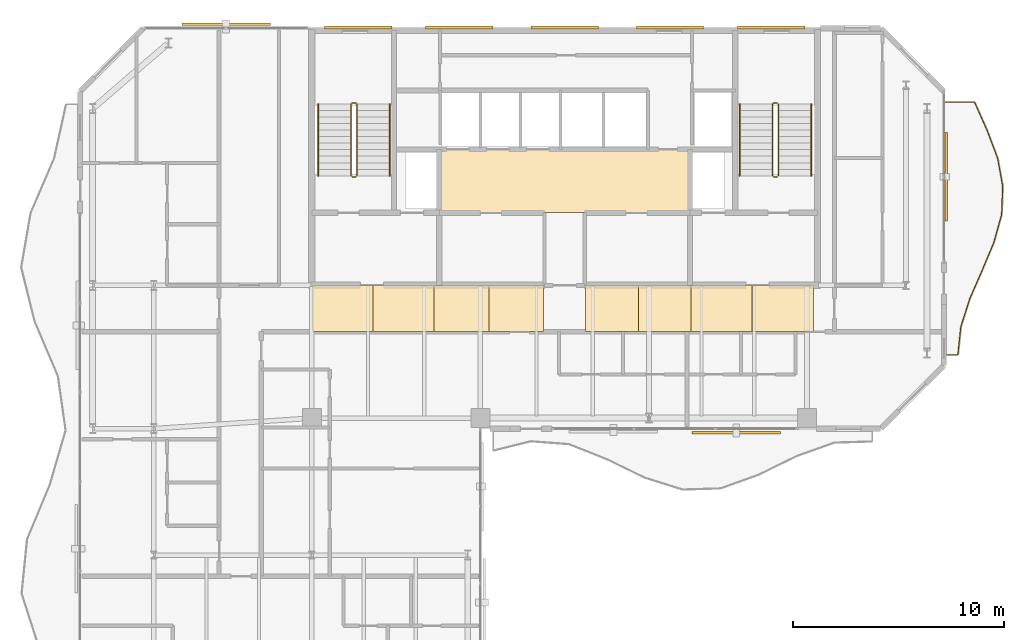
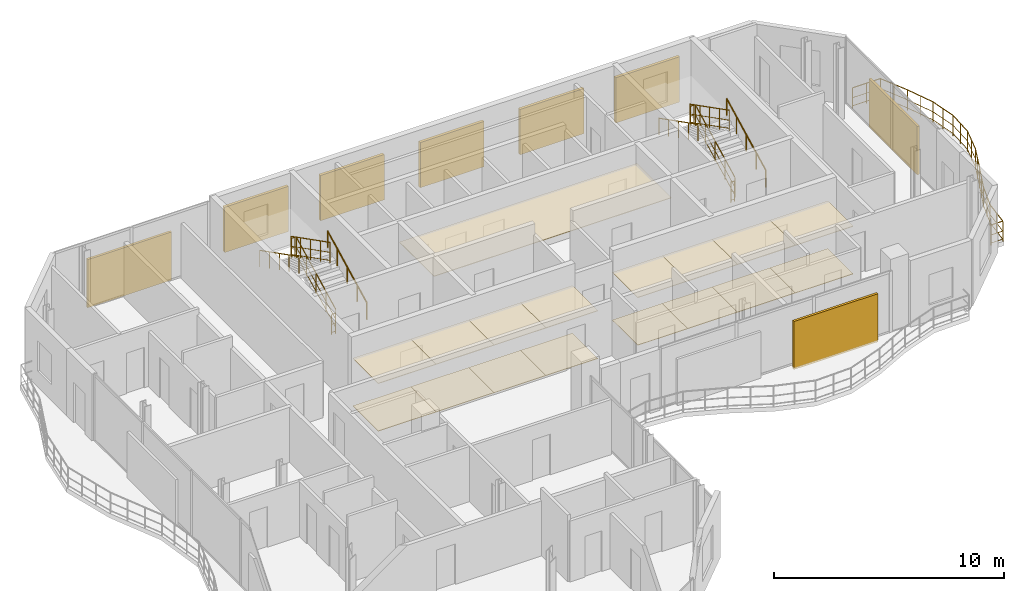
# One storey, part 22 of 22: 17 coverings, 13 railings, 8 shading devices.
"""IFC4 building model written with IfcOpenShell, lengths in metres."""

import ifcopenshell
import ifcopenshell.guid

model = None  # the IFC model being written
_history = None  # IfcOwnerHistory: only IFC2X3 demands one
_inside = {}  # id of a spatial element -> (the spatial element, [elements in it])
_under = {}  # id of a project, library or spatial element -> (it, [spatial elements below it])
_declared = {}  # id of a project -> (the project, [libraries it declares])
_typed = {}  # id of a type object -> (the type object, [elements of that type])
_made_of = {}  # id of a material, layer set ... -> (it, [elements and type objects made of it])


def new_model(schema):
    """Start an empty IFC model of exactly this schema.

    Asked for "IFC4X3", IfcOpenShell would pick the latest addendum, in which some entities
    have other attributes; the version numbers below select the first issue.
    IFC2X3 requires an IfcOwnerHistory on every rooted entity: one is made here for all.
    """
    global model, _history
    if schema == "IFC4X3":
        model = ifcopenshell.file(schema_version=(4, 3, 0, 0))
    else:
        model = ifcopenshell.file(schema=schema)
    _inside.clear()
    _under.clear()
    _declared.clear()
    _typed.clear()
    _made_of.clear()
    _history = None
    if model.schema == "IFC2X3":
        org = make("IfcOrganization", Name="unknown")
        user = make(
            "IfcPersonAndOrganization",
            ThePerson=make("IfcPerson", FamilyName="unknown"),
            TheOrganization=org,
        )
        app = make(
            "IfcApplication",
            ApplicationDeveloper=org,
            Version="unknown",
            ApplicationFullName="unknown",
            ApplicationIdentifier="unknown",
        )
        _history = make(
            "IfcOwnerHistory",
            OwningUser=user,
            OwningApplication=app,
            ChangeAction="ADDED",
            CreationDate=0,
        )
    return model


def make(cls, **values):
    """One entity of the class cls with the attributes given. An attribute that is None is left unset."""
    return model.create_entity(
        cls, **{name: value for name, value in values.items() if value is not None}
    )


def rooted(cls, **values):
    """An entity with a GlobalId (a new one), such as an element, a storey or a relation."""
    return make(cls, GlobalId=ifcopenshell.guid.new(), OwnerHistory=_history, **values)


def si_unit(unit_type, name, prefix=None):
    """IfcSIUnit, for example si_unit("LENGTHUNIT", "METRE", prefix="MILLI")."""
    return make("IfcSIUnit", UnitType=unit_type, Prefix=prefix, Name=name)


def assignment(units):
    """IfcUnitAssignment: the units of a project."""
    return None if units is None else make("IfcUnitAssignment", Units=units)


def point(xyz):
    """IfcCartesianPoint."""
    return None if xyz is None else make("IfcCartesianPoint", Coordinates=xyz)


def direction(xyz):
    """IfcDirection."""
    return None if xyz is None else make("IfcDirection", DirectionRatios=xyz)


def frame(location, z_axis=None, x_axis=None):
    """IfcAxis2Placement3D, a coordinate frame: its origin and axes. An axis left out is left unset."""
    return make(
        "IfcAxis2Placement3D",
        Location=point(location),
        Axis=direction(z_axis),
        RefDirection=direction(x_axis),
    )


def frame_2d(location, x_axis=None):
    """IfcAxis2Placement2D, a coordinate frame in the plane: its origin and x axis."""
    return make(
        "IfcAxis2Placement2D", Location=point(location), RefDirection=direction(x_axis)
    )


def origin():
    """The frame at (0, 0, 0) with its axes left unset."""
    return frame((0.0, 0.0, 0.0))


def origin_2d():
    """The frame at (0, 0) in the plane with its x axis left unset."""
    return frame_2d((0.0, 0.0))


def place(relative_to, where):
    """IfcLocalPlacement: puts the frame where relative to a parent placement (None: the world)."""
    return make(
        "IfcLocalPlacement", PlacementRelTo=relative_to, RelativePlacement=where
    )


def context(
    kind, dimensions, precision=None, world=None, true_north=None, identifier=None
):
    """IfcGeometricRepresentationContext, for example the 3D "Model" context."""
    return make(
        "IfcGeometricRepresentationContext",
        ContextIdentifier=identifier,
        ContextType=kind,
        CoordinateSpaceDimension=dimensions,
        Precision=precision,
        WorldCoordinateSystem=world,
        TrueNorth=true_north,
    )


def subcontext(parent, identifier, kind, view, scale=None):
    """IfcGeometricRepresentationSubContext, for example "Body" below "Model"."""
    return make(
        "IfcGeometricRepresentationSubContext",
        ContextIdentifier=identifier,
        ContextType=kind,
        ParentContext=parent,
        TargetScale=scale,
        TargetView=view,
    )


def project(units=None, contexts=None):
    """IfcProject with its units and contexts."""
    return rooted(
        "IfcProject",
        Name="project",
        RepresentationContexts=contexts,
        UnitsInContext=assignment(units),
    )


def spatial(cls, under=None, at=None, **own):
    """A site, building, storey or space (cls), placed at a placement, below another one or the project."""
    s = rooted(cls, ObjectPlacement=at, **own)
    if under is not None:
        _under.setdefault(under.id(), (under, []))[1].append(s)
    return s


def polyline(points):
    """IfcPolyline through the points."""
    return make("IfcPolyline", Points=[point(p) for p in points])


def profile(cls, at=None, kind="AREA", **sizes):
    """A parametric profile (cls). Its sizes go by their IFC names, for example OverallWidth=200.0."""
    return make(cls, ProfileType=kind, Position=at, **sizes)


def rectangle(**sizes):
    """IfcRectangleProfileDef."""
    return profile("IfcRectangleProfileDef", **sizes)


def circle(**sizes):
    """IfcCircleProfileDef."""
    return profile("IfcCircleProfileDef", **sizes)


def outline(outer, holes=None, kind="AREA"):
    """IfcArbitraryClosedProfileDef: a profile drawn as a closed curve; with holes, ...WithVoids."""
    if holes is None:
        return make("IfcArbitraryClosedProfileDef", ProfileType=kind, OuterCurve=outer)
    return make(
        "IfcArbitraryProfileDefWithVoids",
        ProfileType=kind,
        OuterCurve=outer,
        InnerCurves=holes,
    )


def extrude(swept, where, along, depth):
    """IfcExtrudedAreaSolid: the profile swept, set in the frame where, extruded along a direction by depth."""
    return make(
        "IfcExtrudedAreaSolid",
        SweptArea=swept,
        Position=where,
        ExtrudedDirection=direction(along),
        Depth=depth,
    )


def shape(context_of_items, identifier, shape_type, items):
    """IfcShapeRepresentation: the items that make up one representation, for example the "Body"."""
    return make(
        "IfcShapeRepresentation",
        ContextOfItems=context_of_items,
        RepresentationIdentifier=identifier,
        RepresentationType=shape_type,
        Items=items,
    )


def material(Name=None, Category=None):
    """IfcMaterial."""
    return make("IfcMaterial", Name=Name, Category=Category)


def layer(
    of_material, thickness, ventilated=None, Name=None, Category=None, Priority=None
):
    """IfcMaterialLayer: one layer of a wall or slab, of a material (None: an air gap)."""
    return make(
        "IfcMaterialLayer",
        Material=of_material,
        LayerThickness=thickness,
        IsVentilated=ventilated,
        Name=Name,
        Category=Category,
        Priority=Priority,
    )


def layer_set(layers, Name=None):
    """IfcMaterialLayerSet."""
    return make("IfcMaterialLayerSet", MaterialLayers=layers, LayerSetName=Name)


def made_of(thing, what):
    """Note that an element or type object is made of a material, layer set ...; save() writes the relation."""
    if what is not None:
        _made_of.setdefault(what.id(), (what, []))[1].append(thing)
    return thing


def type_object(cls, material=None, **own):
    """A type object (cls), such as IfcWallType, which elements share."""
    return made_of(rooted(cls, **own), material)


def element(
    cls,
    number,
    at=None,
    inside=None,
    cuts=None,
    type_object=None,
    material=None,
    context=None,
    identifier="Body",
    shape_type=None,
    held_by="IfcProductDefinitionShape",
    body=None,
    shapes=None,
    **own,
):
    """One element of the class cls, such as IfcWall. Its Tag is "e" and its number.

    at: its placement. inside: the storey or other place that contains it. cuts: it is an
    opening in that element (IfcRelVoidsElement). A single representation is given by context,
    identifier, shape_type and body (its items); several are given by shapes. held_by: the class
    of the entity that holds the representations. save() writes the other relations.
    """
    e = rooted(cls, Tag="e%d" % number, ObjectPlacement=at, **own)
    if body is not None:
        shapes = [shape(context, identifier, shape_type, body)]
    if shapes is not None:
        e.Representation = make(held_by, Representations=shapes)
    if inside is not None:
        _inside.setdefault(inside.id(), (inside, []))[1].append(e)
    if cuts is not None:
        rooted(
            "IfcRelVoidsElement", RelatingBuildingElement=cuts, RelatedOpeningElement=e
        )
    if type_object is not None:
        _typed.setdefault(type_object.id(), (type_object, []))[1].append(e)
    return made_of(e, material)


def aggregate(whole, parts):
    """IfcRelAggregates: a whole, such as a stair, and the parts it consists of."""
    return rooted("IfcRelAggregates", RelatingObject=whole, RelatedObjects=parts)


def save(model, path):
    """Write the relations noted so far, then the file.

    IfcRelAggregates (storeys below a building ...), IfcRelContainedInSpatialStructure (elements
    in a storey), IfcRelDefinesByType, IfcRelAssociatesMaterial and IfcRelDeclares: one each for
    every whole, place, type object, material and project.
    """
    for whole, parts in _under.values():
        aggregate(whole, parts)
    for where, things in _inside.values():
        rooted(
            "IfcRelContainedInSpatialStructure",
            RelatedElements=things,
            RelatingStructure=where,
        )
    for kind, things in _typed.values():
        rooted("IfcRelDefinesByType", RelatedObjects=things, RelatingType=kind)
    for what, things in _made_of.values():
        rooted("IfcRelAssociatesMaterial", RelatedObjects=things, RelatingMaterial=what)
    for by, libraries in _declared.values():
        rooted("IfcRelDeclares", RelatingContext=by, RelatedDefinitions=libraries)
    model.write(path)


model = new_model("IFC4")

# Units and contexts
model_context = context("Model", 3, precision=1e-05, world=origin(), true_north=direction((0.0, 1.0)))
body_context = subcontext(model_context, "Body", "Model", "MODEL_VIEW")
ifc_project = project(units=[si_unit("LENGTHUNIT", "METRE"), si_unit("AREAUNIT", "SQUARE_METRE"), si_unit("VOLUMEUNIT", "CUBIC_METRE"), si_unit("PLANEANGLEUNIT", "RADIAN"), si_unit("MASSUNIT", "GRAM", prefix="KILO")], contexts=[model_context])

# Site, building, storey
site_placement = place(None, origin())
site = spatial("IfcSite", under=ifc_project, at=site_placement, CompositionType="ELEMENT")
building_placement = place(site_placement, origin())
building = spatial("IfcBuilding", under=site, at=building_placement, Name="Catumbela Crestline Tower", CompositionType="ELEMENT")
storey_placement = place(building_placement, frame((0.0, 0.0, 222.2)))
storey = spatial("IfcBuildingStorey", under=building, at=storey_placement, Name="L57", CompositionType="ELEMENT", Elevation=222.2)

# Coverings
ifc_material_1 = material(Name="Mineral-fibre acoustic ceiling")
ifc_layer_1 = layer(ifc_material_1, 0.03, Name="Mineral-fibre acoustic ceiling")
ifc_layer_set_1 = layer_set([ifc_layer_1], Name="Mineral-fibre acoustic ceiling")
covering_type_1 = type_object("IfcCoveringType", Name="CC-AC", PredefinedType="CEILING", material=ifc_layer_set_1)
covering_1_placement = place(storey_placement, frame((0.0, 0.0, 2.65)))
element("IfcCovering", 1, at=covering_1_placement, inside=storey, type_object=covering_type_1, Name="L57 Lift Lobby Acoustic Ceiling", PredefinedType="CEILING", context=body_context, shape_type="SweptSolid", body=[
    extrude(outline(polyline([(22.05, 34.25), (33.95, 34.25), (33.95, 37.25), (22.05, 37.25), (22.05, 34.25)])), origin(), (0.0, 0.0, 1.0), 0.03),
])
covering_2_placement = place(storey_placement, frame((0.0, 0.0, 2.52)))
element("IfcCovering", 2, at=covering_2_placement, inside=storey, type_object=covering_type_1, Name="L57 Corridor Acoustic Ceiling Bay 1", PredefinedType="CEILING", context=body_context, shape_type="SweptSolid", body=[
    extrude(outline(polyline([(16.0, 28.6), (18.9, 28.6), (18.9, 30.8), (16.0, 30.8), (16.0, 28.6)])), origin(), (0.0, 0.0, 1.0), 0.03),
])
covering_3_placement = place(storey_placement, frame((0.0, 0.0, 2.52)))
element("IfcCovering", 3, at=covering_3_placement, inside=storey, type_object=covering_type_1, Name="L57 Corridor Acoustic Ceiling Bay 2", PredefinedType="CEILING", context=body_context, shape_type="SweptSolid", body=[
    extrude(outline(polyline([(18.9, 28.6), (21.8, 28.6), (21.8, 30.8), (18.9, 30.8), (18.9, 28.6)])), origin(), (0.0, 0.0, 1.0), 0.03),
])
covering_4_placement = place(storey_placement, frame((0.0, 0.0, 2.52)))
element("IfcCovering", 4, at=covering_4_placement, inside=storey, type_object=covering_type_1, Name="L57 Corridor Acoustic Ceiling Bay 3", PredefinedType="CEILING", context=body_context, shape_type="SweptSolid", body=[
    extrude(outline(polyline([(21.8, 28.6), (24.4, 28.6), (24.4, 30.8), (21.8, 30.8), (21.8, 28.6)])), origin(), (0.0, 0.0, 1.0), 0.03),
])
covering_5_placement = place(storey_placement, frame((0.0, 0.0, 2.52)))
element("IfcCovering", 5, at=covering_5_placement, inside=storey, type_object=covering_type_1, Name="L57 Corridor Acoustic Ceiling Bay 4", PredefinedType="CEILING", context=body_context, shape_type="SweptSolid", body=[
    extrude(outline(polyline([(24.4, 28.6), (27.0, 28.6), (27.0, 30.8), (24.4, 30.8), (24.4, 28.6)])), origin(), (0.0, 0.0, 1.0), 0.03),
])
covering_6_placement = place(storey_placement, frame((0.0, 0.0, 2.52)))
element("IfcCovering", 6, at=covering_6_placement, inside=storey, type_object=covering_type_1, Name="L57 Corridor Acoustic Ceiling Bay 5", PredefinedType="CEILING", context=body_context, shape_type="SweptSolid", body=[
    extrude(outline(polyline([(29.0, 28.6), (31.5, 28.6), (31.5, 30.8), (29.0, 30.8), (29.0, 28.6)])), origin(), (0.0, 0.0, 1.0), 0.03),
])
covering_7_placement = place(storey_placement, frame((0.0, 0.0, 2.52)))
element("IfcCovering", 7, at=covering_7_placement, inside=storey, type_object=covering_type_1, Name="L57 Corridor Acoustic Ceiling Bay 6", PredefinedType="CEILING", context=body_context, shape_type="SweptSolid", body=[
    extrude(outline(polyline([(31.5, 28.6), (34.0, 28.6), (34.0, 30.8), (31.5, 30.8), (31.5, 28.6)])), origin(), (0.0, 0.0, 1.0), 0.03),
])
covering_8_placement = place(storey_placement, frame((0.0, 0.0, 2.52)))
element("IfcCovering", 8, at=covering_8_placement, inside=storey, type_object=covering_type_1, Name="L57 Corridor Acoustic Ceiling Bay 7", PredefinedType="CEILING", context=body_context, shape_type="SweptSolid", body=[
    extrude(outline(polyline([(34.0, 28.6), (36.9, 28.6), (36.9, 30.8), (34.0, 30.8), (34.0, 28.6)])), origin(), (0.0, 0.0, 1.0), 0.03),
])
covering_9_placement = place(storey_placement, frame((0.0, 0.0, 2.52)))
element("IfcCovering", 9, at=covering_9_placement, inside=storey, type_object=covering_type_1, Name="L57 Corridor Acoustic Ceiling Bay 8", PredefinedType="CEILING", context=body_context, shape_type="SweptSolid", body=[
    extrude(outline(polyline([(36.9, 28.6), (39.8, 28.6), (39.8, 30.8), (36.9, 30.8), (36.9, 28.6)])), origin(), (0.0, 0.0, 1.0), 0.03),
])
ifc_material_2 = material(Name="Angolan grey-ochre granite", Category="masonry")
ifc_layer_2 = layer(ifc_material_2, 0.025, Name="Angolan grey-ochre granite")
ifc_layer_set_2 = layer_set([ifc_layer_2], Name="Angolan grey-ochre granite")
covering_type_2 = type_object("IfcCoveringType", Name="CF-GR", PredefinedType="FLOORING", material=ifc_layer_set_2)
covering_10_placement = place(storey_placement, origin())
element("IfcCovering", 10, at=covering_10_placement, inside=storey, type_object=covering_type_2, Name="L57 Corridor Granite Flooring Bay 1", PredefinedType="FLOORING", context=body_context, shape_type="SweptSolid", body=[
    extrude(outline(polyline([(16.0, 28.6), (18.9, 28.6), (18.9, 30.8), (16.0, 30.8), (16.0, 28.6)])), origin(), (0.0, 0.0, 1.0), 0.025),
])
covering_11_placement = place(storey_placement, origin())
element("IfcCovering", 11, at=covering_11_placement, inside=storey, type_object=covering_type_2, Name="L57 Corridor Granite Flooring Bay 2", PredefinedType="FLOORING", context=body_context, shape_type="SweptSolid", body=[
    extrude(outline(polyline([(18.9, 28.6), (21.8, 28.6), (21.8, 30.8), (18.9, 30.8), (18.9, 28.6)])), origin(), (0.0, 0.0, 1.0), 0.025),
])
covering_12_placement = place(storey_placement, origin())
element("IfcCovering", 12, at=covering_12_placement, inside=storey, type_object=covering_type_2, Name="L57 Corridor Granite Flooring Bay 3", PredefinedType="FLOORING", context=body_context, shape_type="SweptSolid", body=[
    extrude(outline(polyline([(21.8, 28.6), (24.4, 28.6), (24.4, 30.8), (21.8, 30.8), (21.8, 28.6)])), origin(), (0.0, 0.0, 1.0), 0.025),
])
covering_13_placement = place(storey_placement, origin())
element("IfcCovering", 13, at=covering_13_placement, inside=storey, type_object=covering_type_2, Name="L57 Corridor Granite Flooring Bay 4", PredefinedType="FLOORING", context=body_context, shape_type="SweptSolid", body=[
    extrude(outline(polyline([(24.4, 28.6), (27.0, 28.6), (27.0, 30.8), (24.4, 30.8), (24.4, 28.6)])), origin(), (0.0, 0.0, 1.0), 0.025),
])
covering_14_placement = place(storey_placement, origin())
element("IfcCovering", 14, at=covering_14_placement, inside=storey, type_object=covering_type_2, Name="L57 Corridor Granite Flooring Bay 5", PredefinedType="FLOORING", context=body_context, shape_type="SweptSolid", body=[
    extrude(outline(polyline([(29.0, 28.6), (31.5, 28.6), (31.5, 30.8), (29.0, 30.8), (29.0, 28.6)])), origin(), (0.0, 0.0, 1.0), 0.025),
])
covering_15_placement = place(storey_placement, origin())
element("IfcCovering", 15, at=covering_15_placement, inside=storey, type_object=covering_type_2, Name="L57 Corridor Granite Flooring Bay 6", PredefinedType="FLOORING", context=body_context, shape_type="SweptSolid", body=[
    extrude(outline(polyline([(31.5, 28.6), (34.0, 28.6), (34.0, 30.8), (31.5, 30.8), (31.5, 28.6)])), origin(), (0.0, 0.0, 1.0), 0.025),
])
covering_16_placement = place(storey_placement, origin())
element("IfcCovering", 16, at=covering_16_placement, inside=storey, type_object=covering_type_2, Name="L57 Corridor Granite Flooring Bay 7", PredefinedType="FLOORING", context=body_context, shape_type="SweptSolid", body=[
    extrude(outline(polyline([(34.0, 28.6), (36.9, 28.6), (36.9, 30.8), (34.0, 30.8), (34.0, 28.6)])), origin(), (0.0, 0.0, 1.0), 0.025),
])
covering_17_placement = place(storey_placement, origin())
element("IfcCovering", 17, at=covering_17_placement, inside=storey, type_object=covering_type_2, Name="L57 Corridor Granite Flooring Bay 8", PredefinedType="FLOORING", context=body_context, shape_type="SweptSolid", body=[
    extrude(outline(polyline([(36.9, 28.6), (39.8, 28.6), (39.8, 30.8), (36.9, 30.8), (36.9, 28.6)])), origin(), (0.0, 0.0, 1.0), 0.025),
])

# Railings
ifc_material_3 = material(Name="Stainless steel EN 1.4401", Category="steel")
railing_type_1 = type_object("IfcRailingType", Name="RB-1100", PredefinedType="BALUSTRADE", material=ifc_material_3)
railing_1_placement = place(storey_placement, frame((46.06, 27.5, 0.0)))
element("IfcRailing", 18, at=railing_1_placement, inside=storey, type_object=railing_type_1, Name="L57 Private Wave Balcony Balustrade 2", PredefinedType="BALUSTRADE", context=body_context, shape_type="SweptSolid", body=[
    extrude(circle(Radius=0.024, at=origin_2d()), frame((0.0, 0.0, 1.076), z_axis=(1.0, 0.0, 0.0), x_axis=(0.0, 1.0, 0.0)), (0.0, 0.0, 1.0), 0.601),
    extrude(circle(Radius=0.0156, at=origin_2d()), frame((0.0, 0.0, 0.55), z_axis=(1.0, 0.0, 0.0), x_axis=(0.0, 1.0, 0.0)), (0.0, 0.0, 1.0), 0.601),
    extrude(circle(Radius=0.0156, at=origin_2d()), frame((0.0, 0.0, 0.12), z_axis=(1.0, 0.0, 0.0), x_axis=(0.0, 1.0, 0.0)), (0.0, 0.0, 1.0), 0.601),
    extrude(circle(Radius=0.024, at=origin_2d()), frame((0.601, 0.0, 1.076), z_axis=(0.104133385077, 0.994563340423, 0.0), x_axis=(-0.994563340423, 0.104133385077, 0.0)), (0.0, 0.0, 1.0), 1.3406),
    extrude(circle(Radius=0.0156, at=origin_2d()), frame((0.601, 0.0, 0.55), z_axis=(0.104133385077, 0.994563340423, 0.0), x_axis=(-0.994563340423, 0.104133385077, 0.0)), (0.0, 0.0, 1.0), 1.3406),
    extrude(circle(Radius=0.0156, at=origin_2d()), frame((0.601, 0.0, 0.12), z_axis=(0.104133385077, 0.994563340423, 0.0), x_axis=(-0.994563340423, 0.104133385077, 0.0)), (0.0, 0.0, 1.0), 1.3406),
    extrude(circle(Radius=0.024, at=origin_2d()), frame((0.7406, 1.3333, 1.076), z_axis=(0.303811133199, 0.952732278945, 0.0), x_axis=(-0.952732278945, 0.303811133199, 0.0)), (0.0, 0.0, 1.0), 1.3996),
    extrude(circle(Radius=0.0156, at=origin_2d()), frame((0.7406, 1.3333, 0.55), z_axis=(0.303811133199, 0.952732278945, 0.0), x_axis=(-0.952732278945, 0.303811133199, 0.0)), (0.0, 0.0, 1.0), 1.3996),
    extrude(circle(Radius=0.0156, at=origin_2d()), frame((0.7406, 1.3333, 0.12), z_axis=(0.303811133199, 0.952732278945, 0.0), x_axis=(-0.952732278945, 0.303811133199, 0.0)), (0.0, 0.0, 1.0), 1.3996),
    extrude(circle(Radius=0.024, at=origin_2d()), frame((1.1658, 2.6667, 1.076), z_axis=(0.399711331432, 0.916641070172, 0.0), x_axis=(-0.916641070172, 0.399711331432, 0.0)), (0.0, 0.0, 1.0), 1.4545),
    extrude(circle(Radius=0.0156, at=origin_2d()), frame((1.1658, 2.6667, 0.55), z_axis=(0.399711331432, 0.916641070172, 0.0), x_axis=(-0.916641070172, 0.399711331432, 0.0)), (0.0, 0.0, 1.0), 1.4545),
    extrude(circle(Radius=0.0156, at=origin_2d()), frame((1.1658, 2.6667, 0.12), z_axis=(0.399711331432, 0.916641070172, 0.0), x_axis=(-0.916641070172, 0.399711331432, 0.0)), (0.0, 0.0, 1.0), 1.4545),
    extrude(circle(Radius=0.024, at=origin_2d()), frame((1.7472, 4.0, 1.076), z_axis=(0.387828284506, 0.921731643016, 0.0), x_axis=(-0.921731643016, 0.387828284506, 0.0)), (0.0, 0.0, 1.0), 1.4465),
    extrude(circle(Radius=0.0156, at=origin_2d()), frame((1.7472, 4.0, 0.55), z_axis=(0.387828284506, 0.921731643016, 0.0), x_axis=(-0.921731643016, 0.387828284506, 0.0)), (0.0, 0.0, 1.0), 1.4465),
    extrude(circle(Radius=0.0156, at=origin_2d()), frame((1.7472, 4.0, 0.12), z_axis=(0.387828284506, 0.921731643016, 0.0), x_axis=(-0.921731643016, 0.387828284506, 0.0)), (0.0, 0.0, 1.0), 1.4465),
    extrude(circle(Radius=0.024, at=origin_2d()), frame((2.3082, 5.3333, 1.076), z_axis=(0.267450049337, 0.963571725981, 0.0), x_axis=(-0.963571725981, 0.267450049337, 0.0)), (0.0, 0.0, 1.0), 1.3838),
    extrude(circle(Radius=0.0156, at=origin_2d()), frame((2.3082, 5.3333, 0.55), z_axis=(0.267450049337, 0.963571725981, 0.0), x_axis=(-0.963571725981, 0.267450049337, 0.0)), (0.0, 0.0, 1.0), 1.3838),
    extrude(circle(Radius=0.0156, at=origin_2d()), frame((2.3082, 5.3333, 0.12), z_axis=(0.267450049337, 0.963571725981, 0.0), x_axis=(-0.963571725981, 0.267450049337, 0.0)), (0.0, 0.0, 1.0), 1.3838),
    extrude(circle(Radius=0.024, at=origin_2d()), frame((2.6783, 6.6667, 1.076), z_axis=(0.038746850927, 0.999249058815, 0.0), x_axis=(-0.999249058815, 0.038746850927, 0.0)), (0.0, 0.0, 1.0), 1.3343),
    extrude(circle(Radius=0.0156, at=origin_2d()), frame((2.6783, 6.6667, 0.55), z_axis=(0.038746850927, 0.999249058815, 0.0), x_axis=(-0.999249058815, 0.038746850927, 0.0)), (0.0, 0.0, 1.0), 1.3343),
    extrude(circle(Radius=0.0156, at=origin_2d()), frame((2.6783, 6.6667, 0.12), z_axis=(0.038746850927, 0.999249058815, 0.0), x_axis=(-0.999249058815, 0.038746850927, 0.0)), (0.0, 0.0, 1.0), 1.3343),
    extrude(circle(Radius=0.024, at=origin_2d()), frame((2.73, 8.0, 1.076), z_axis=(-0.178586703106, 0.983924178722, 0.0), x_axis=(-0.983924178722, -0.178586703106, 0.0)), (0.0, 0.0, 1.0), 1.3551),
    extrude(circle(Radius=0.0156, at=origin_2d()), frame((2.73, 8.0, 0.55), z_axis=(-0.178586703106, 0.983924178722, 0.0), x_axis=(-0.983924178722, -0.178586703106, 0.0)), (0.0, 0.0, 1.0), 1.3551),
    extrude(circle(Radius=0.0156, at=origin_2d()), frame((2.73, 8.0, 0.12), z_axis=(-0.178586703106, 0.983924178722, 0.0), x_axis=(-0.983924178722, -0.178586703106, 0.0)), (0.0, 0.0, 1.0), 1.3551),
    extrude(circle(Radius=0.024, at=origin_2d()), frame((2.488, 9.3333, 1.076), z_axis=(-0.352645749318, 0.935756899781, 0.0), x_axis=(-0.935756899781, -0.352645749318, 0.0)), (0.0, 0.0, 1.0), 1.4249),
    extrude(circle(Radius=0.0156, at=origin_2d()), frame((2.488, 9.3333, 0.55), z_axis=(-0.352645749318, 0.935756899781, 0.0), x_axis=(-0.935756899781, -0.352645749318, 0.0)), (0.0, 0.0, 1.0), 1.4249),
    extrude(circle(Radius=0.0156, at=origin_2d()), frame((2.488, 9.3333, 0.12), z_axis=(-0.352645749318, 0.935756899781, 0.0), x_axis=(-0.935756899781, -0.352645749318, 0.0)), (0.0, 0.0, 1.0), 1.4249),
    extrude(circle(Radius=0.024, at=origin_2d()), frame((1.9855, 10.6667, 1.076), z_axis=(-0.407694688159, 0.913118306271, 0.0), x_axis=(-0.913118306271, -0.407694688159, 0.0)), (0.0, 0.0, 1.0), 1.4602),
    extrude(circle(Radius=0.0156, at=origin_2d()), frame((1.9855, 10.6667, 0.55), z_axis=(-0.407694688159, 0.913118306271, 0.0), x_axis=(-0.913118306271, -0.407694688159, 0.0)), (0.0, 0.0, 1.0), 1.4602),
    extrude(circle(Radius=0.0156, at=origin_2d()), frame((1.9855, 10.6667, 0.12), z_axis=(-0.407694688159, 0.913118306271, 0.0), x_axis=(-0.913118306271, -0.407694688159, 0.0)), (0.0, 0.0, 1.0), 1.4602),
    extrude(circle(Radius=0.024, at=origin_2d()), frame((1.3902, 12.0, 1.076), z_axis=(-1.0, 0.0, 0.0), x_axis=(0.0, -1.0, 0.0)), (0.0, 0.0, 1.0), 1.3902),
    extrude(circle(Radius=0.0156, at=origin_2d()), frame((1.3902, 12.0, 0.55), z_axis=(-1.0, 0.0, 0.0), x_axis=(0.0, -1.0, 0.0)), (0.0, 0.0, 1.0), 1.3902),
    extrude(circle(Radius=0.0156, at=origin_2d()), frame((1.3902, 12.0, 0.12), z_axis=(-1.0, 0.0, 0.0), x_axis=(0.0, -1.0, 0.0)), (0.0, 0.0, 1.0), 1.3902),
    extrude(circle(Radius=0.021, at=origin_2d()), origin(), (0.0, 0.0, 1.0), 1.052),
    extrude(circle(Radius=0.021, at=origin_2d()), frame((0.601, 0.0, 0.0)), (0.0, 0.0, 1.0), 1.052),
    extrude(circle(Radius=0.021, at=origin_2d()), frame((0.6708, 0.6667, 0.0)), (0.0, 0.0, 1.0), 1.052),
    extrude(circle(Radius=0.021, at=origin_2d()), frame((0.7406, 1.3333, 0.0)), (0.0, 0.0, 1.0), 1.052),
    extrude(circle(Radius=0.021, at=origin_2d()), frame((0.9532, 2.0, 0.0)), (0.0, 0.0, 1.0), 1.052),
    extrude(circle(Radius=0.021, at=origin_2d()), frame((1.1658, 2.6667, 0.0)), (0.0, 0.0, 1.0), 1.052),
    extrude(circle(Radius=0.021, at=origin_2d()), frame((1.4565, 3.3333, 0.0)), (0.0, 0.0, 1.0), 1.052),
    extrude(circle(Radius=0.021, at=origin_2d()), frame((1.7472, 4.0, 0.0)), (0.0, 0.0, 1.0), 1.052),
    extrude(circle(Radius=0.021, at=origin_2d()), frame((2.0277, 4.6667, 0.0)), (0.0, 0.0, 1.0), 1.052),
    extrude(circle(Radius=0.021, at=origin_2d()), frame((2.3082, 5.3333, 0.0)), (0.0, 0.0, 1.0), 1.052),
    extrude(circle(Radius=0.021, at=origin_2d()), frame((2.4932, 6.0, 0.0)), (0.0, 0.0, 1.0), 1.052),
    extrude(circle(Radius=0.021, at=origin_2d()), frame((2.6783, 6.6667, 0.0)), (0.0, 0.0, 1.0), 1.052),
    extrude(circle(Radius=0.021, at=origin_2d()), frame((2.7041, 7.3334, 0.0)), (0.0, 0.0, 1.0), 1.052),
    extrude(circle(Radius=0.021, at=origin_2d()), frame((2.73, 8.0, 0.0)), (0.0, 0.0, 1.0), 1.052),
    extrude(circle(Radius=0.021, at=origin_2d()), frame((2.609, 8.6666, 0.0)), (0.0, 0.0, 1.0), 1.052),
    extrude(circle(Radius=0.021, at=origin_2d()), frame((2.488, 9.3333, 0.0)), (0.0, 0.0, 1.0), 1.052),
    extrude(circle(Radius=0.021, at=origin_2d()), frame((2.2367, 10.0, 0.0)), (0.0, 0.0, 1.0), 1.052),
    extrude(circle(Radius=0.021, at=origin_2d()), frame((1.9855, 10.6667, 0.0)), (0.0, 0.0, 1.0), 1.052),
    extrude(circle(Radius=0.021, at=origin_2d()), frame((1.6878, 11.3334, 0.0)), (0.0, 0.0, 1.0), 1.052),
    extrude(circle(Radius=0.021, at=origin_2d()), frame((1.3902, 12.0, 0.0)), (0.0, 0.0, 1.0), 1.052),
    extrude(circle(Radius=0.021, at=origin_2d()), frame((0.6951, 12.0, 0.0)), (0.0, 0.0, 1.0), 1.052),
    extrude(circle(Radius=0.021, at=origin_2d()), frame((0.0, 12.0, 0.0)), (0.0, 0.0, 1.0), 1.052),
])
railing_type_2 = type_object("IfcRailingType", Name="RG-1100", PredefinedType="GUARDRAIL", material=ifc_material_3)
railing_2_placement = place(storey_placement, frame((18.14, 36.0, 0.1583)))
element("IfcRailing", 19, at=railing_2_placement, inside=storey, type_object=railing_type_2, Name="L57 ST-01 stair guard 1", PredefinedType="GUARDRAIL", context=body_context, shape_type="SweptSolid", body=[
    extrude(circle(Radius=0.024, at=origin_2d()), frame((0.0, 0.0, 1.076), z_axis=(0.0, 0.890560473983, 0.454864861447), x_axis=(-1.0, 0.0, 0.0)), (0.0, 0.0, 1.0), 3.829),
    extrude(circle(Radius=0.0156, at=origin_2d()), frame((0.0, 0.0, 0.55), z_axis=(0.0, 0.890560473983, 0.454864861447), x_axis=(-1.0, 0.0, 0.0)), (0.0, 0.0, 1.0), 3.829),
    extrude(circle(Radius=0.0156, at=origin_2d()), frame((0.0, 0.0, 0.12), z_axis=(0.0, 0.890560473983, 0.454864861447), x_axis=(-1.0, 0.0, 0.0)), (0.0, 0.0, 1.0), 3.829),
    extrude(circle(Radius=0.021, at=origin_2d()), origin(), (0.0, 0.0, 1.0), 1.052),
    extrude(circle(Radius=0.021, at=origin_2d()), frame((0.0, 0.8525, 0.4354)), (0.0, 0.0, 1.0), 1.052),
    extrude(circle(Radius=0.021, at=origin_2d()), frame((0.0, 1.705, 0.8708)), (0.0, 0.0, 1.0), 1.052),
    extrude(circle(Radius=0.021, at=origin_2d()), frame((0.0, 2.5575, 1.3063)), (0.0, 0.0, 1.0), 1.052),
    extrude(circle(Radius=0.021, at=origin_2d()), frame((0.0, 3.41, 1.7417)), (0.0, 0.0, 1.0), 1.052),
])
railing_3_placement = place(storey_placement, frame((18.09, 39.46, 1.9)))
element("IfcRailing", 20, at=railing_3_placement, inside=storey, type_object=railing_type_2, Name="L57 ST-01 stair guard 2", PredefinedType="GUARDRAIL", context=body_context, shape_type="SweptSolid", body=[
    extrude(circle(Radius=0.024, at=origin_2d()), frame((0.0, 0.0, 1.076), z_axis=(-1.0, 0.0, 0.0), x_axis=(0.0, -1.0, 0.0)), (0.0, 0.0, 1.0), 0.18),
    extrude(circle(Radius=0.0156, at=origin_2d()), frame((0.0, 0.0, 0.55), z_axis=(-1.0, 0.0, 0.0), x_axis=(0.0, -1.0, 0.0)), (0.0, 0.0, 1.0), 0.18),
    extrude(circle(Radius=0.0156, at=origin_2d()), frame((0.0, 0.0, 0.12), z_axis=(-1.0, 0.0, 0.0), x_axis=(0.0, -1.0, 0.0)), (0.0, 0.0, 1.0), 0.18),
    extrude(circle(Radius=0.021, at=origin_2d()), origin(), (0.0, 0.0, 1.0), 1.052),
    extrude(circle(Radius=0.021, at=origin_2d()), frame((-0.18, 0.0, 0.0)), (0.0, 0.0, 1.0), 1.052),
])
railing_4_placement = place(storey_placement, frame((17.86, 39.41, 2.0583)))
element("IfcRailing", 21, at=railing_4_placement, inside=storey, type_object=railing_type_2, Name="L57 ST-01 stair guard 3", PredefinedType="GUARDRAIL", context=body_context, shape_type="SweptSolid", body=[
    extrude(circle(Radius=0.024, at=origin_2d()), frame((0.0, 0.0, 1.076), z_axis=(0.0, -0.890560473983, 0.454864861447), x_axis=(1.0, 0.0, 0.0)), (0.0, 0.0, 1.0), 3.829),
    extrude(circle(Radius=0.0156, at=origin_2d()), frame((0.0, 0.0, 0.55), z_axis=(0.0, -0.890560473983, 0.454864861447), x_axis=(1.0, 0.0, 0.0)), (0.0, 0.0, 1.0), 3.829),
    extrude(circle(Radius=0.0156, at=origin_2d()), frame((0.0, 0.0, 0.12), z_axis=(0.0, -0.890560473983, 0.454864861447), x_axis=(1.0, 0.0, 0.0)), (0.0, 0.0, 1.0), 3.829),
    extrude(circle(Radius=0.021, at=origin_2d()), origin(), (0.0, 0.0, 1.0), 1.052),
    extrude(circle(Radius=0.021, at=origin_2d()), frame((0.0, -0.8525, 0.4354)), (0.0, 0.0, 1.0), 1.052),
    extrude(circle(Radius=0.021, at=origin_2d()), frame((0.0, -1.705, 0.8709)), (0.0, 0.0, 1.0), 1.052),
    extrude(circle(Radius=0.021, at=origin_2d()), frame((0.0, -2.5575, 1.3063)), (0.0, 0.0, 1.0), 1.052),
    extrude(circle(Radius=0.021, at=origin_2d()), frame((0.0, -3.41, 1.7417)), (0.0, 0.0, 1.0), 1.052),
])
railing_5_placement = place(storey_placement, frame((18.09, 35.95, 0.0)))
element("IfcRailing", 22, at=railing_5_placement, inside=storey, type_object=railing_type_2, Name="L57 ST-01 stair guard 4", PredefinedType="GUARDRAIL", context=body_context, shape_type="SweptSolid", body=[
    extrude(circle(Radius=0.024, at=origin_2d()), frame((0.0, 0.0, 1.076), z_axis=(-1.0, 0.0, 0.0), x_axis=(0.0, -1.0, 0.0)), (0.0, 0.0, 1.0), 0.18),
    extrude(circle(Radius=0.0156, at=origin_2d()), frame((0.0, 0.0, 0.55), z_axis=(-1.0, 0.0, 0.0), x_axis=(0.0, -1.0, 0.0)), (0.0, 0.0, 1.0), 0.18),
    extrude(circle(Radius=0.0156, at=origin_2d()), frame((0.0, 0.0, 0.12), z_axis=(-1.0, 0.0, 0.0), x_axis=(0.0, -1.0, 0.0)), (0.0, 0.0, 1.0), 0.18),
    extrude(circle(Radius=0.021, at=origin_2d()), origin(), (0.0, 0.0, 1.0), 1.052),
    extrude(circle(Radius=0.021, at=origin_2d()), frame((-0.18, 0.0, 0.0)), (0.0, 0.0, 1.0), 1.052),
])
railing_6_placement = place(storey_placement, frame((38.14, 36.0, 0.1583)))
element("IfcRailing", 23, at=railing_6_placement, inside=storey, type_object=railing_type_2, Name="L57 ST-02 stair guard 1", PredefinedType="GUARDRAIL", context=body_context, shape_type="SweptSolid", body=[
    extrude(circle(Radius=0.024, at=origin_2d()), frame((0.0, 0.0, 1.076), z_axis=(0.0, 0.890560473983, 0.454864861447), x_axis=(-1.0, 0.0, 0.0)), (0.0, 0.0, 1.0), 3.829),
    extrude(circle(Radius=0.0156, at=origin_2d()), frame((0.0, 0.0, 0.55), z_axis=(0.0, 0.890560473983, 0.454864861447), x_axis=(-1.0, 0.0, 0.0)), (0.0, 0.0, 1.0), 3.829),
    extrude(circle(Radius=0.0156, at=origin_2d()), frame((0.0, 0.0, 0.12), z_axis=(0.0, 0.890560473983, 0.454864861447), x_axis=(-1.0, 0.0, 0.0)), (0.0, 0.0, 1.0), 3.829),
    extrude(circle(Radius=0.021, at=origin_2d()), origin(), (0.0, 0.0, 1.0), 1.052),
    extrude(circle(Radius=0.021, at=origin_2d()), frame((0.0, 0.8525, 0.4354)), (0.0, 0.0, 1.0), 1.052),
    extrude(circle(Radius=0.021, at=origin_2d()), frame((0.0, 1.705, 0.8708)), (0.0, 0.0, 1.0), 1.052),
    extrude(circle(Radius=0.021, at=origin_2d()), frame((0.0, 2.5575, 1.3063)), (0.0, 0.0, 1.0), 1.052),
    extrude(circle(Radius=0.021, at=origin_2d()), frame((0.0, 3.41, 1.7417)), (0.0, 0.0, 1.0), 1.052),
])
railing_7_placement = place(storey_placement, frame((38.09, 39.46, 1.9)))
element("IfcRailing", 24, at=railing_7_placement, inside=storey, type_object=railing_type_2, Name="L57 ST-02 stair guard 2", PredefinedType="GUARDRAIL", context=body_context, shape_type="SweptSolid", body=[
    extrude(circle(Radius=0.024, at=origin_2d()), frame((0.0, 0.0, 1.076), z_axis=(-1.0, 0.0, 0.0), x_axis=(0.0, -1.0, 0.0)), (0.0, 0.0, 1.0), 0.18),
    extrude(circle(Radius=0.0156, at=origin_2d()), frame((0.0, 0.0, 0.55), z_axis=(-1.0, 0.0, 0.0), x_axis=(0.0, -1.0, 0.0)), (0.0, 0.0, 1.0), 0.18),
    extrude(circle(Radius=0.0156, at=origin_2d()), frame((0.0, 0.0, 0.12), z_axis=(-1.0, 0.0, 0.0), x_axis=(0.0, -1.0, 0.0)), (0.0, 0.0, 1.0), 0.18),
    extrude(circle(Radius=0.021, at=origin_2d()), origin(), (0.0, 0.0, 1.0), 1.052),
    extrude(circle(Radius=0.021, at=origin_2d()), frame((-0.18, 0.0, 0.0)), (0.0, 0.0, 1.0), 1.052),
])
railing_8_placement = place(storey_placement, frame((37.86, 39.41, 2.0583)))
element("IfcRailing", 25, at=railing_8_placement, inside=storey, type_object=railing_type_2, Name="L57 ST-02 stair guard 3", PredefinedType="GUARDRAIL", context=body_context, shape_type="SweptSolid", body=[
    extrude(circle(Radius=0.024, at=origin_2d()), frame((0.0, 0.0, 1.076), z_axis=(0.0, -0.890560473983, 0.454864861447), x_axis=(1.0, 0.0, 0.0)), (0.0, 0.0, 1.0), 3.829),
    extrude(circle(Radius=0.0156, at=origin_2d()), frame((0.0, 0.0, 0.55), z_axis=(0.0, -0.890560473983, 0.454864861447), x_axis=(1.0, 0.0, 0.0)), (0.0, 0.0, 1.0), 3.829),
    extrude(circle(Radius=0.0156, at=origin_2d()), frame((0.0, 0.0, 0.12), z_axis=(0.0, -0.890560473983, 0.454864861447), x_axis=(1.0, 0.0, 0.0)), (0.0, 0.0, 1.0), 3.829),
    extrude(circle(Radius=0.021, at=origin_2d()), origin(), (0.0, 0.0, 1.0), 1.052),
    extrude(circle(Radius=0.021, at=origin_2d()), frame((0.0, -0.8525, 0.4354)), (0.0, 0.0, 1.0), 1.052),
    extrude(circle(Radius=0.021, at=origin_2d()), frame((0.0, -1.705, 0.8709)), (0.0, 0.0, 1.0), 1.052),
    extrude(circle(Radius=0.021, at=origin_2d()), frame((0.0, -2.5575, 1.3063)), (0.0, 0.0, 1.0), 1.052),
    extrude(circle(Radius=0.021, at=origin_2d()), frame((0.0, -3.41, 1.7417)), (0.0, 0.0, 1.0), 1.052),
])
railing_9_placement = place(storey_placement, frame((38.09, 35.95, 0.0)))
element("IfcRailing", 26, at=railing_9_placement, inside=storey, type_object=railing_type_2, Name="L57 ST-02 stair guard 4", PredefinedType="GUARDRAIL", context=body_context, shape_type="SweptSolid", body=[
    extrude(circle(Radius=0.024, at=origin_2d()), frame((0.0, 0.0, 1.076), z_axis=(-1.0, 0.0, 0.0), x_axis=(0.0, -1.0, 0.0)), (0.0, 0.0, 1.0), 0.18),
    extrude(circle(Radius=0.0156, at=origin_2d()), frame((0.0, 0.0, 0.55), z_axis=(-1.0, 0.0, 0.0), x_axis=(0.0, -1.0, 0.0)), (0.0, 0.0, 1.0), 0.18),
    extrude(circle(Radius=0.0156, at=origin_2d()), frame((0.0, 0.0, 0.12), z_axis=(-1.0, 0.0, 0.0), x_axis=(0.0, -1.0, 0.0)), (0.0, 0.0, 1.0), 0.18),
    extrude(circle(Radius=0.021, at=origin_2d()), origin(), (0.0, 0.0, 1.0), 1.052),
    extrude(circle(Radius=0.021, at=origin_2d()), frame((-0.18, 0.0, 0.0)), (0.0, 0.0, 1.0), 1.052),
])
railing_type_3 = type_object("IfcRailingType", Name="RH-0900", PredefinedType="HANDRAIL", material=ifc_material_3)
railing_10_placement = place(storey_placement, frame((19.7, 36.0, 0.1583)))
element("IfcRailing", 27, at=railing_10_placement, inside=storey, type_object=railing_type_3, Name="L57 ST-01 stair handrail 1", PredefinedType="HANDRAIL", context=body_context, shape_type="SweptSolid", body=[
    extrude(circle(Radius=0.024, at=origin_2d()), frame((0.0, 0.0, 0.876), z_axis=(0.0, 0.890560473983, 0.454864861447), x_axis=(-1.0, 0.0, 0.0)), (0.0, 0.0, 1.0), 3.829),
    extrude(circle(Radius=0.021, at=origin_2d()), origin(), (0.0, 0.0, 1.0), 0.852),
    extrude(circle(Radius=0.021, at=origin_2d()), frame((0.0, 0.8525, 0.4354)), (0.0, 0.0, 1.0), 0.852),
    extrude(circle(Radius=0.021, at=origin_2d()), frame((0.0, 1.705, 0.8708)), (0.0, 0.0, 1.0), 0.852),
    extrude(circle(Radius=0.021, at=origin_2d()), frame((0.0, 2.5575, 1.3063)), (0.0, 0.0, 1.0), 0.852),
    extrude(circle(Radius=0.021, at=origin_2d()), frame((0.0, 3.41, 1.7417)), (0.0, 0.0, 1.0), 0.852),
])
railing_11_placement = place(storey_placement, frame((16.3, 39.41, 2.0583)))
element("IfcRailing", 28, at=railing_11_placement, inside=storey, type_object=railing_type_3, Name="L57 ST-01 stair handrail 2", PredefinedType="HANDRAIL", context=body_context, shape_type="SweptSolid", body=[
    extrude(circle(Radius=0.024, at=origin_2d()), frame((0.0, 0.0, 0.876), z_axis=(0.0, -0.890560473983, 0.454864861447), x_axis=(1.0, 0.0, 0.0)), (0.0, 0.0, 1.0), 3.829),
    extrude(circle(Radius=0.021, at=origin_2d()), origin(), (0.0, 0.0, 1.0), 0.852),
    extrude(circle(Radius=0.021, at=origin_2d()), frame((0.0, -0.8525, 0.4354)), (0.0, 0.0, 1.0), 0.852),
    extrude(circle(Radius=0.021, at=origin_2d()), frame((0.0, -1.705, 0.8709)), (0.0, 0.0, 1.0), 0.852),
    extrude(circle(Radius=0.021, at=origin_2d()), frame((0.0, -2.5575, 1.3063)), (0.0, 0.0, 1.0), 0.852),
    extrude(circle(Radius=0.021, at=origin_2d()), frame((0.0, -3.41, 1.7417)), (0.0, 0.0, 1.0), 0.852),
])
railing_12_placement = place(storey_placement, frame((39.7, 36.0, 0.1583)))
element("IfcRailing", 29, at=railing_12_placement, inside=storey, type_object=railing_type_3, Name="L57 ST-02 stair handrail 1", PredefinedType="HANDRAIL", context=body_context, shape_type="SweptSolid", body=[
    extrude(circle(Radius=0.024, at=origin_2d()), frame((0.0, 0.0, 0.876), z_axis=(0.0, 0.890560473983, 0.454864861447), x_axis=(-1.0, 0.0, 0.0)), (0.0, 0.0, 1.0), 3.829),
    extrude(circle(Radius=0.021, at=origin_2d()), origin(), (0.0, 0.0, 1.0), 0.852),
    extrude(circle(Radius=0.021, at=origin_2d()), frame((0.0, 0.8525, 0.4354)), (0.0, 0.0, 1.0), 0.852),
    extrude(circle(Radius=0.021, at=origin_2d()), frame((0.0, 1.705, 0.8708)), (0.0, 0.0, 1.0), 0.852),
    extrude(circle(Radius=0.021, at=origin_2d()), frame((0.0, 2.5575, 1.3063)), (0.0, 0.0, 1.0), 0.852),
    extrude(circle(Radius=0.021, at=origin_2d()), frame((0.0, 3.41, 1.7417)), (0.0, 0.0, 1.0), 0.852),
])
railing_13_placement = place(storey_placement, frame((36.3, 39.41, 2.0583)))
element("IfcRailing", 30, at=railing_13_placement, inside=storey, type_object=railing_type_3, Name="L57 ST-02 stair handrail 2", PredefinedType="HANDRAIL", context=body_context, shape_type="SweptSolid", body=[
    extrude(circle(Radius=0.024, at=origin_2d()), frame((0.0, 0.0, 0.876), z_axis=(0.0, -0.890560473983, 0.454864861447), x_axis=(1.0, 0.0, 0.0)), (0.0, 0.0, 1.0), 3.829),
    extrude(circle(Radius=0.021, at=origin_2d()), origin(), (0.0, 0.0, 1.0), 0.852),
    extrude(circle(Radius=0.021, at=origin_2d()), frame((0.0, -0.8525, 0.4354)), (0.0, 0.0, 1.0), 0.852),
    extrude(circle(Radius=0.021, at=origin_2d()), frame((0.0, -1.705, 0.8709)), (0.0, 0.0, 1.0), 0.852),
    extrude(circle(Radius=0.021, at=origin_2d()), frame((0.0, -2.5575, 1.3063)), (0.0, 0.0, 1.0), 0.852),
    extrude(circle(Radius=0.021, at=origin_2d()), frame((0.0, -3.41, 1.7417)), (0.0, 0.0, 1.0), 0.852),
])

# Shading devices
ifc_material_4 = material(Name="Extruded terracotta ceramic", Category="masonry")
shading_device_type_1 = type_object("IfcShadingDeviceType", Name="ST-180", PredefinedType="USERDEFINED", material=ifc_material_4)
for number, where, z_axis, x_axis, name in (
    (31, (18.2, 43.04, 0.55), (0.0, 0.0, 1.0), (1.0, 0.0, 0.0), "L57 Rear Core Terracotta Brise-Soleil Screen 670"),
    (32, (33.0, 43.04, 0.55), (0.0, 0.0, 1.0), (1.0, 0.0, 0.0), "L57 Rear Core Terracotta Brise-Soleil Screen 673"),
):
    element("IfcShadingDevice", number, at=place(storey_placement, frame(where, z_axis=z_axis, x_axis=x_axis)), inside=storey, type_object=shading_device_type_1, Name=name, ObjectType="SCREEN", PredefinedType="USERDEFINED", context=body_context, shape_type="SweptSolid", body=[
        extrude(rectangle(XDim=3.2, YDim=0.14, at=origin_2d()), origin(), (0.0, 0.0, 1.0), 2.4),
    ])
shading_device_1_placement = place(storey_placement, frame((46.099, 35.95, -0.1), z_axis=(0.0, 0.0, 1.0), x_axis=(0.0, 1.0, 0.0)))
element("IfcShadingDevice", 33, at=shading_device_1_placement, inside=storey, type_object=shading_device_type_1, Name="L57 Perforated Terracotta Solar Screen 680 (180 mm)", ObjectType="SCREEN", PredefinedType="USERDEFINED", context=body_context, shape_type="SweptSolid", body=[
    extrude(rectangle(XDim=4.2, YDim=0.12, at=origin_2d()), origin(), (0.0, 0.0, 1.0), 2.55),
])
shading_device_type_2 = type_object("IfcShadingDeviceType", Name="ST-260", PredefinedType="USERDEFINED", material=ifc_material_4)
for number, where, z_axis, x_axis, name in (
    (34, (28.0, 43.04, 0.55), (0.0, 0.0, 1.0), (1.0, 0.0, 0.0), "L57 Rear Core Terracotta Brise-Soleil Screen 672"),
    (35, (37.8, 43.04, 0.55), (0.0, 0.0, 1.0), (1.0, 0.0, 0.0), "L57 Rear Core Terracotta Brise-Soleil Screen 674"),
):
    element("IfcShadingDevice", number, at=place(storey_placement, frame(where, z_axis=z_axis, x_axis=x_axis)), inside=storey, type_object=shading_device_type_2, Name=name, ObjectType="SCREEN", PredefinedType="USERDEFINED", context=body_context, shape_type="SweptSolid", body=[
        extrude(rectangle(XDim=3.2, YDim=0.14, at=origin_2d()), origin(), (0.0, 0.0, 1.0), 2.4),
    ])
shading_device_type_3 = type_object("IfcShadingDeviceType", Name="ST-340", PredefinedType="USERDEFINED", material=ifc_material_4)
shading_device_2_placement = place(storey_placement, frame((23.0, 43.04, 0.55), z_axis=(0.0, 0.0, 1.0), x_axis=(1.0, 0.0, 0.0)))
element("IfcShadingDevice", 36, at=shading_device_2_placement, inside=storey, type_object=shading_device_type_3, Name="L57 Rear Core Terracotta Brise-Soleil Screen 671", ObjectType="SCREEN", PredefinedType="USERDEFINED", context=body_context, shape_type="SweptSolid", body=[
    extrude(rectangle(XDim=3.2, YDim=0.14, at=origin_2d()), origin(), (0.0, 0.0, 1.0), 2.4),
])
for number, where, z_axis, x_axis, name in (
    (37, (36.1375, 23.813, -0.1), (0.0, 0.0, 1.0), (1.0, 0.0, 0.0), "L57 Perforated Terracotta Solar Screen 679 (340 mm)"),
    (38, (11.93, 43.187, -0.1), (0.0, 0.0, 1.0), (-1.0, 0.0, 0.0), "L57 Perforated Terracotta Solar Screen 681 (340 mm)"),
):
    element("IfcShadingDevice", number, at=place(storey_placement, frame(where, z_axis=z_axis, x_axis=x_axis)), inside=storey, type_object=shading_device_type_3, Name=name, ObjectType="SCREEN", PredefinedType="USERDEFINED", context=body_context, shape_type="SweptSolid", body=[
        extrude(rectangle(XDim=4.2, YDim=0.12, at=origin_2d()), origin(), (0.0, 0.0, 1.0), 2.55),
    ])

save(model, "model.ifc")
